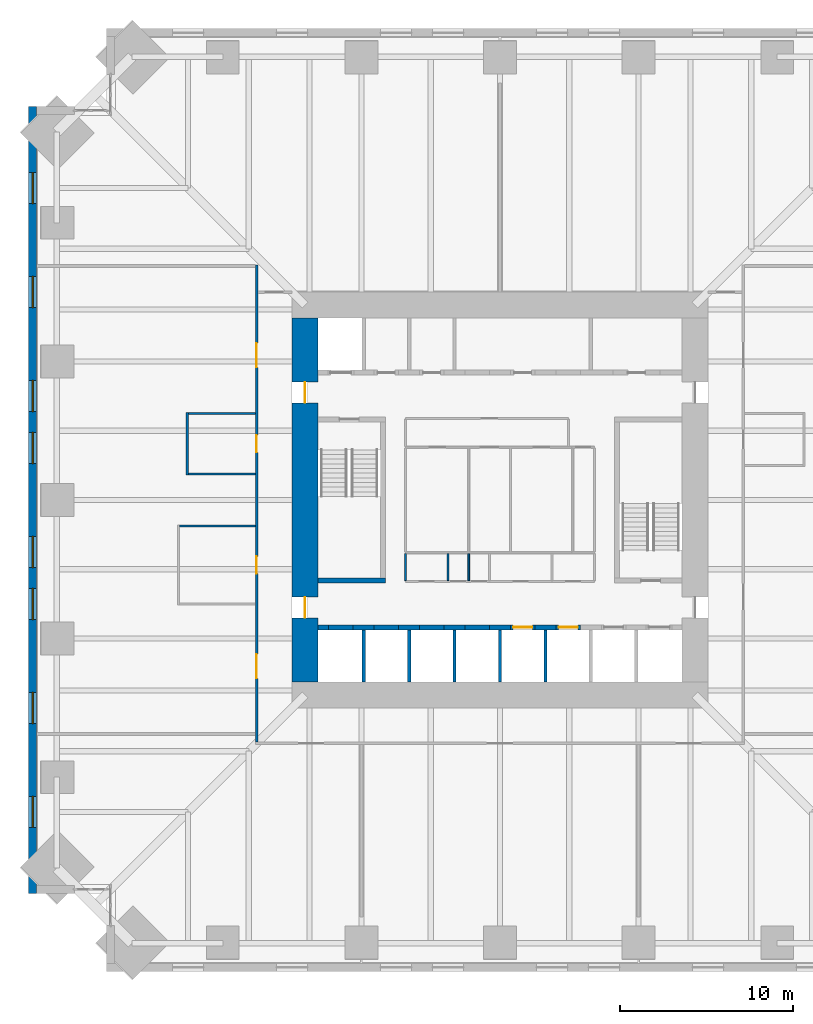
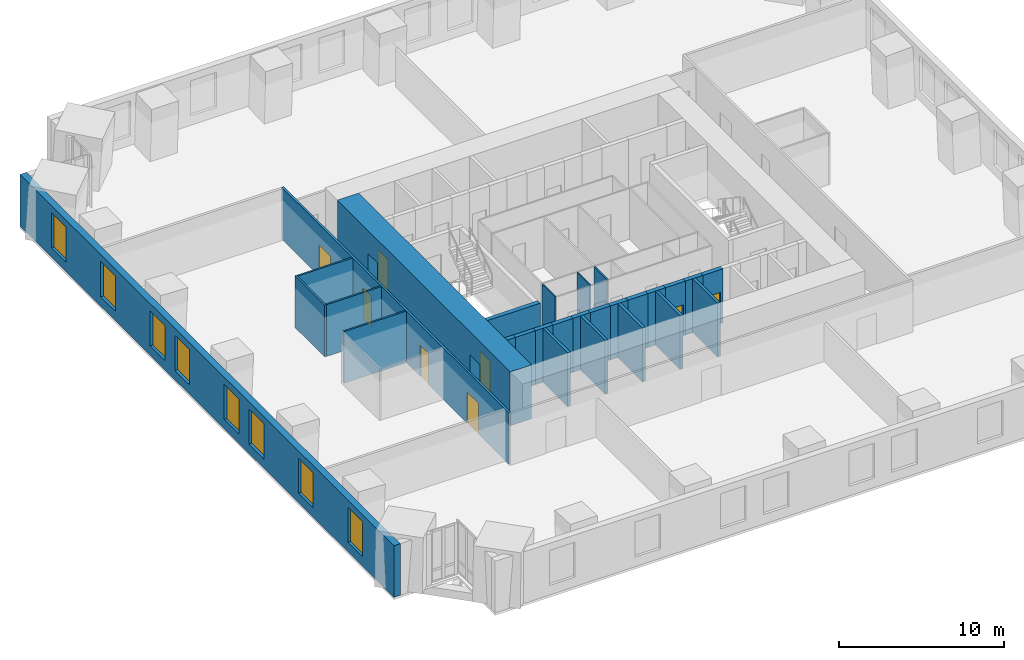
# One storey, part 12 of 16: 28 walls, 8 doors, 8 windows, 16 openings.
"""IFC4 building model written with IfcOpenShell, lengths in metres."""

from ifc_helpers import new_model, si_unit, direction, frame, frame_2d, origin, place, context, subcontext, project, spatial, rectangle, extrude, material, layer, layer_set, type_object, element, fill, save


model = new_model("IFC4")

# Units and contexts
model_context = context("Model", 3, precision=1e-05, world=origin(), true_north=direction((0.0, 1.0)))
body_context = subcontext(model_context, "Body", "Model", "MODEL_VIEW")
ifc_project = project(units=[si_unit("LENGTHUNIT", "METRE"), si_unit("AREAUNIT", "SQUARE_METRE"), si_unit("VOLUMEUNIT", "CUBIC_METRE"), si_unit("PLANEANGLEUNIT", "RADIAN"), si_unit("MASSUNIT", "GRAM", prefix="KILO")], contexts=[model_context])

# Site, building, storey
site_placement = place(None, origin())
site = spatial("IfcSite", under=ifc_project, at=site_placement, CompositionType="ELEMENT")
building_placement = place(site_placement, origin())
building = spatial("IfcBuilding", under=site, at=building_placement, Name="Peilmerk Tower", CompositionType="ELEMENT")
storey_placement = place(building_placement, frame((0.0, 0.0, 131.800048828125)))
storey = spatial("IfcBuildingStorey", under=building, at=storey_placement, Name="L26", CompositionType="ELEMENT", Elevation=131.800048828125)

# Wall, openings, windows
ifc_material_1 = material(Name="Precast concrete C45/55, board-marked finish", Category="concrete")
ifc_layer_1 = layer(ifc_material_1, 0.449951171875)
ifc_layer_set_1 = layer_set([ifc_layer_1], Name="Precast concrete C45/55, board-marked finish")
wall_type_1 = type_object("IfcWallType", Name="EW1 450 precast concrete facade wall, board-marked", PredefinedType="SOLIDWALL", material=ifc_layer_set_1)
wall_1_placement = place(storey_placement, frame((-26.97509765625, 22.699951171875, 0.0), z_axis=(0.0, 0.0, 1.0), x_axis=(0.0, -1.0, 0.0)))
wall_1 = element("IfcWall", 1, at=wall_1_placement, inside=storey, type_object=wall_type_1, Name="Facade wall W L26", PredefinedType="SOLIDWALL", context=body_context, shape_type="SweptSolid", body=[
    extrude(rectangle(XDim=45.39990234375, YDim=0.449951171875, at=frame_2d((22.699951171875, 0.0))), origin(), (0.0, 0.0, 1.0), 3.829833984375),
])
opening_1_placement = place(wall_1_placement, frame((3.800048828125, 0.0, 0.699951171875)))
opening_1 = element("IfcOpeningElement", 2, at=opening_1_placement, cuts=wall_1, Name="Opening W1", PredefinedType="OPENING", context=body_context, shape_type="SweptSolid", body=[
    extrude(rectangle(XDim=1.800048828125, YDim=2.60009765625, at=frame_2d((0.89990234375, 1.300048828125))), frame((0.0, 0.23486328125, 0.0), z_axis=(0.0, -1.0, 0.0), x_axis=(1.0, 0.0, 0.0)), (0.0, 0.0, 1.0), 0.469970703125),
])
opening_2_placement = place(wall_1_placement, frame((9.800048828125, 0.0, 0.699951171875)))
opening_2 = element("IfcOpeningElement", 3, at=opening_2_placement, cuts=wall_1, Name="Opening W1", PredefinedType="OPENING", context=body_context, shape_type="SweptSolid", body=[
    extrude(rectangle(XDim=1.800048828125, YDim=2.60009765625, at=frame_2d((0.89990234375, 1.300048828125))), frame((0.0, 0.23486328125, 0.0), z_axis=(0.0, -1.0, 0.0), x_axis=(1.0, 0.0, 0.0)), (0.0, 0.0, 1.0), 0.469970703125),
])
opening_3_placement = place(wall_1_placement, frame((15.800048828125, 0.0, 0.699951171875)))
opening_3 = element("IfcOpeningElement", 4, at=opening_3_placement, cuts=wall_1, Name="Opening W1", PredefinedType="OPENING", context=body_context, shape_type="SweptSolid", body=[
    extrude(rectangle(XDim=1.800048828125, YDim=2.60009765625, at=frame_2d((0.89990234375, 1.300048828125))), frame((0.0, 0.23486328125, 0.0), z_axis=(0.0, -1.0, 0.0), x_axis=(1.0, 0.0, 0.0)), (0.0, 0.0, 1.0), 0.469970703125),
])
opening_4_placement = place(wall_1_placement, frame((18.800048828125, 0.0, 0.699951171875)))
opening_4 = element("IfcOpeningElement", 5, at=opening_4_placement, cuts=wall_1, Name="Opening W1", PredefinedType="OPENING", context=body_context, shape_type="SweptSolid", body=[
    extrude(rectangle(XDim=1.800048828125, YDim=2.60009765625, at=frame_2d((0.89990234375, 1.300048828125))), frame((0.0, 0.23486328125, 0.0), z_axis=(0.0, -1.0, 0.0), x_axis=(1.0, 0.0, 0.0)), (0.0, 0.0, 1.0), 0.469970703125),
])
opening_5_placement = place(wall_1_placement, frame((24.800048828125, 0.0, 0.699951171875)))
opening_5 = element("IfcOpeningElement", 6, at=opening_5_placement, cuts=wall_1, Name="Opening W1", PredefinedType="OPENING", context=body_context, shape_type="SweptSolid", body=[
    extrude(rectangle(XDim=1.800048828125, YDim=2.60009765625, at=frame_2d((0.89990234375, 1.300048828125))), frame((0.0, 0.23486328125, 0.0), z_axis=(0.0, -1.0, 0.0), x_axis=(1.0, 0.0, 0.0)), (0.0, 0.0, 1.0), 0.469970703125),
])
opening_6_placement = place(wall_1_placement, frame((27.800048828125, 0.0, 0.699951171875)))
opening_6 = element("IfcOpeningElement", 7, at=opening_6_placement, cuts=wall_1, Name="Opening W1", PredefinedType="OPENING", context=body_context, shape_type="SweptSolid", body=[
    extrude(rectangle(XDim=1.800048828125, YDim=2.60009765625, at=frame_2d((0.89990234375, 1.300048828125))), frame((0.0, 0.23486328125, 0.0), z_axis=(0.0, -1.0, 0.0), x_axis=(1.0, 0.0, 0.0)), (0.0, 0.0, 1.0), 0.469970703125),
])
opening_7_placement = place(wall_1_placement, frame((33.800048828125, 0.0, 0.699951171875)))
opening_7 = element("IfcOpeningElement", 8, at=opening_7_placement, cuts=wall_1, Name="Opening W1", PredefinedType="OPENING", context=body_context, shape_type="SweptSolid", body=[
    extrude(rectangle(XDim=1.800048828125, YDim=2.60009765625, at=frame_2d((0.89990234375, 1.300048828125))), frame((0.0, 0.23486328125, 0.0), z_axis=(0.0, -1.0, 0.0), x_axis=(1.0, 0.0, 0.0)), (0.0, 0.0, 1.0), 0.469970703125),
])
opening_8_placement = place(wall_1_placement, frame((39.800048828125, 0.0, 0.699951171875)))
opening_8 = element("IfcOpeningElement", 9, at=opening_8_placement, cuts=wall_1, Name="Opening W1", PredefinedType="OPENING", context=body_context, shape_type="SweptSolid", body=[
    extrude(rectangle(XDim=1.800048828125, YDim=2.60009765625, at=frame_2d((0.89990234375, 1.300048828125))), frame((0.0, 0.23486328125, 0.0), z_axis=(0.0, -1.0, 0.0), x_axis=(1.0, 0.0, 0.0)), (0.0, 0.0, 1.0), 0.469970703125),
])
ifc_material_2 = material(Name="Aluminium frame, clear double glazing", Category="aluminium")
window_type = type_object("IfcWindowType", Name="W1 1800x2600 office window", PartitioningType="SINGLE_PANEL", PredefinedType="WINDOW", material=ifc_material_2)
window_1_placement = place(opening_1_placement, origin())
window_1 = element("IfcWindow", 10, at=window_1_placement, inside=storey, type_object=window_type, Name="Window W1 L26", OverallHeight=2.60009765625, OverallWidth=1.800048828125, PartitioningType="SINGLE_PANEL", PredefinedType="WINDOW", context=body_context, shape_type="SweptSolid", body=[
    extrude(rectangle(XDim=1.800048828125, YDim=2.60009765625, at=frame_2d((0.89990234375, 1.300048828125))), frame((0.0, 0.030029296875, 0.0), z_axis=(0.0, -1.0, 0.0), x_axis=(1.0, 0.0, 0.0)), (0.0, 0.0, 1.0), 0.06005859375),
])
fill(opening_1, window_1)
window_2_placement = place(opening_2_placement, origin())
window_2 = element("IfcWindow", 11, at=window_2_placement, inside=storey, type_object=window_type, Name="Window W1 L26", OverallHeight=2.60009765625, OverallWidth=1.800048828125, PartitioningType="SINGLE_PANEL", PredefinedType="WINDOW", context=body_context, shape_type="SweptSolid", body=[
    extrude(rectangle(XDim=1.800048828125, YDim=2.60009765625, at=frame_2d((0.89990234375, 1.300048828125))), frame((0.0, 0.030029296875, 0.0), z_axis=(0.0, -1.0, 0.0), x_axis=(1.0, 0.0, 0.0)), (0.0, 0.0, 1.0), 0.06005859375),
])
fill(opening_2, window_2)
window_3_placement = place(opening_3_placement, origin())
window_3 = element("IfcWindow", 12, at=window_3_placement, inside=storey, type_object=window_type, Name="Window W1 L26", OverallHeight=2.60009765625, OverallWidth=1.800048828125, PartitioningType="SINGLE_PANEL", PredefinedType="WINDOW", context=body_context, shape_type="SweptSolid", body=[
    extrude(rectangle(XDim=1.800048828125, YDim=2.60009765625, at=frame_2d((0.89990234375, 1.300048828125))), frame((0.0, 0.030029296875, 0.0), z_axis=(0.0, -1.0, 0.0), x_axis=(1.0, 0.0, 0.0)), (0.0, 0.0, 1.0), 0.06005859375),
])
fill(opening_3, window_3)
window_4_placement = place(opening_4_placement, origin())
window_4 = element("IfcWindow", 13, at=window_4_placement, inside=storey, type_object=window_type, Name="Window W1 L26", OverallHeight=2.60009765625, OverallWidth=1.800048828125, PartitioningType="SINGLE_PANEL", PredefinedType="WINDOW", context=body_context, shape_type="SweptSolid", body=[
    extrude(rectangle(XDim=1.800048828125, YDim=2.60009765625, at=frame_2d((0.89990234375, 1.300048828125))), frame((0.0, 0.030029296875, 0.0), z_axis=(0.0, -1.0, 0.0), x_axis=(1.0, 0.0, 0.0)), (0.0, 0.0, 1.0), 0.06005859375),
])
fill(opening_4, window_4)
window_5_placement = place(opening_5_placement, origin())
window_5 = element("IfcWindow", 14, at=window_5_placement, inside=storey, type_object=window_type, Name="Window W1 L26", OverallHeight=2.60009765625, OverallWidth=1.800048828125, PartitioningType="SINGLE_PANEL", PredefinedType="WINDOW", context=body_context, shape_type="SweptSolid", body=[
    extrude(rectangle(XDim=1.800048828125, YDim=2.60009765625, at=frame_2d((0.89990234375, 1.300048828125))), frame((0.0, 0.030029296875, 0.0), z_axis=(0.0, -1.0, 0.0), x_axis=(1.0, 0.0, 0.0)), (0.0, 0.0, 1.0), 0.06005859375),
])
fill(opening_5, window_5)
window_6_placement = place(opening_6_placement, origin())
window_6 = element("IfcWindow", 15, at=window_6_placement, inside=storey, type_object=window_type, Name="Window W1 L26", OverallHeight=2.60009765625, OverallWidth=1.800048828125, PartitioningType="SINGLE_PANEL", PredefinedType="WINDOW", context=body_context, shape_type="SweptSolid", body=[
    extrude(rectangle(XDim=1.800048828125, YDim=2.60009765625, at=frame_2d((0.89990234375, 1.300048828125))), frame((0.0, 0.030029296875, 0.0), z_axis=(0.0, -1.0, 0.0), x_axis=(1.0, 0.0, 0.0)), (0.0, 0.0, 1.0), 0.06005859375),
])
fill(opening_6, window_6)
window_7_placement = place(opening_7_placement, origin())
window_7 = element("IfcWindow", 16, at=window_7_placement, inside=storey, type_object=window_type, Name="Window W1 L26", OverallHeight=2.60009765625, OverallWidth=1.800048828125, PartitioningType="SINGLE_PANEL", PredefinedType="WINDOW", context=body_context, shape_type="SweptSolid", body=[
    extrude(rectangle(XDim=1.800048828125, YDim=2.60009765625, at=frame_2d((0.89990234375, 1.300048828125))), frame((0.0, 0.030029296875, 0.0), z_axis=(0.0, -1.0, 0.0), x_axis=(1.0, 0.0, 0.0)), (0.0, 0.0, 1.0), 0.06005859375),
])
fill(opening_7, window_7)
window_8_placement = place(opening_8_placement, origin())
window_8 = element("IfcWindow", 17, at=window_8_placement, inside=storey, type_object=window_type, Name="Window W1 L26", OverallHeight=2.60009765625, OverallWidth=1.800048828125, PartitioningType="SINGLE_PANEL", PredefinedType="WINDOW", context=body_context, shape_type="SweptSolid", body=[
    extrude(rectangle(XDim=1.800048828125, YDim=2.60009765625, at=frame_2d((0.89990234375, 1.300048828125))), frame((0.0, 0.030029296875, 0.0), z_axis=(0.0, -1.0, 0.0), x_axis=(1.0, 0.0, 0.0)), (0.0, 0.0, 1.0), 0.06005859375),
])
fill(opening_8, window_8)

# Wall, openings, doors
ifc_material_3 = material(Name="Calcium silicate block", Category="masonry")
ifc_layer_2 = layer(ifc_material_3, 0.14990234375)
ifc_layer_set_2 = layer_set([ifc_layer_2], Name="Calcium silicate block")
wall_type_2 = type_object("IfcWallType", Name="IW1 150 corridor partition, EI 60", PredefinedType="PARTITIONING", material=ifc_layer_set_2)
wall_2_placement = place(storey_placement, frame((-14.050048828125, 13.574951171875, 0.0), z_axis=(0.0, 0.0, 1.0), x_axis=(0.0, -1.0, 0.0)))
wall_2 = element("IfcWall", 18, at=wall_2_placement, inside=storey, type_object=wall_type_2, Name="Corridor wall W L26", PredefinedType="PARTITIONING", context=body_context, shape_type="SweptSolid", body=[
    extrude(rectangle(XDim=27.550048828125, YDim=0.14990234375, at=frame_2d((13.77490234375, 0.0))), origin(), (0.0, 0.0, 1.0), 3.829833984375),
])
opening_9_placement = place(wall_2_placement, frame((22.47509765625, 0.0, 0.0)))
opening_9 = element("IfcOpeningElement", 19, at=opening_9_placement, cuts=wall_2, Name="Opening D8", PredefinedType="OPENING", context=body_context, shape_type="SweptSolid", body=[
    extrude(rectangle(XDim=1.39990234375, YDim=2.300048828125, at=frame_2d((0.699951171875, 1.14990234375))), frame((0.0, 0.0849609375, 0.0), z_axis=(0.0, -1.0, 0.0), x_axis=(1.0, 0.0, 0.0)), (0.0, 0.0, 1.0), 0.169921875),
])
opening_10_placement = place(wall_2_placement, frame((4.52490234375, 0.0, 0.0)))
opening_10 = element("IfcOpeningElement", 20, at=opening_10_placement, cuts=wall_2, Name="Opening D8", PredefinedType="OPENING", context=body_context, shape_type="SweptSolid", body=[
    extrude(rectangle(XDim=1.39990234375, YDim=2.300048828125, at=frame_2d((0.699951171875, 1.14990234375))), frame((0.0, 0.0849609375, 0.0), z_axis=(0.0, -1.0, 0.0), x_axis=(1.0, 0.0, 0.0)), (0.0, 0.0, 1.0), 0.169921875),
])
opening_11_placement = place(wall_2_placement, frame((16.824951171875, 0.0, 0.0)))
opening_11 = element("IfcOpeningElement", 21, at=opening_11_placement, cuts=wall_2, Name="Opening D1", PredefinedType="OPENING", context=body_context, shape_type="SweptSolid", body=[
    extrude(rectangle(XDim=1.0, YDim=2.300048828125, at=frame_2d((0.5, 1.14990234375))), frame((0.0, 0.0849609375, 0.0), z_axis=(0.0, -1.0, 0.0), x_axis=(1.0, 0.0, 0.0)), (0.0, 0.0, 1.0), 0.169921875),
])
opening_12_placement = place(wall_2_placement, frame((9.824951171875, 0.0, 0.0)))
opening_12 = element("IfcOpeningElement", 22, at=opening_12_placement, cuts=wall_2, Name="Opening D1", PredefinedType="OPENING", context=body_context, shape_type="SweptSolid", body=[
    extrude(rectangle(XDim=1.0, YDim=2.300048828125, at=frame_2d((0.5, 1.14990234375))), frame((0.0, 0.0849609375, 0.0), z_axis=(0.0, -1.0, 0.0), x_axis=(1.0, 0.0, 0.0)), (0.0, 0.0, 1.0), 0.169921875),
])
ifc_material_4 = material(Name="Timber door in steel frame", Category="steel")
door_type_1 = type_object("IfcDoorType", Name="D1 1000x2300 room door, EI2 30", OperationType="SINGLE_SWING_LEFT", PredefinedType="DOOR", material=ifc_material_4)
door_1_placement = place(opening_11_placement, frame((1.0, 0.0, 0.0), z_axis=(0.0, 0.0, 1.0), x_axis=(-1.0, 0.0, 0.0)))
door_1 = element("IfcDoor", 23, at=door_1_placement, inside=storey, type_object=door_type_1, Name="Door Meeting room L26", OperationType="SINGLE_SWING_LEFT", OverallHeight=2.300048828125, OverallWidth=1.0, PredefinedType="DOOR", context=body_context, shape_type="SweptSolid", body=[
    extrude(rectangle(XDim=1.0, YDim=2.300048828125, at=frame_2d((0.5, 1.14990234375))), frame((0.0, 0.02490234375, 0.0), z_axis=(0.0, -1.0, 0.0), x_axis=(1.0, 0.0, 0.0)), (0.0, 0.0, 1.0), 0.050048828125),
])
fill(opening_11, door_1)
door_2_placement = place(opening_12_placement, frame((1.0, 0.0, 0.0), z_axis=(0.0, 0.0, 1.0), x_axis=(-1.0, 0.0, 0.0)))
door_2 = element("IfcDoor", 24, at=door_2_placement, inside=storey, type_object=door_type_1, Name="Door Pantry L26", OperationType="SINGLE_SWING_LEFT", OverallHeight=2.300048828125, OverallWidth=1.0, PredefinedType="DOOR", context=body_context, shape_type="SweptSolid", body=[
    extrude(rectangle(XDim=1.0, YDim=2.300048828125, at=frame_2d((0.5, 1.14990234375))), frame((0.0, 0.02490234375, 0.0), z_axis=(0.0, -1.0, 0.0), x_axis=(1.0, 0.0, 0.0)), (0.0, 0.0, 1.0), 0.050048828125),
])
fill(opening_12, door_2)
door_type_2 = type_object("IfcDoorType", Name="D8 1400x2300 leaf-and-a-half door, EI2 30", OperationType="DOUBLE_DOOR_SINGLE_SWING", PredefinedType="DOOR", material=ifc_material_4)
door_3_placement = place(opening_9_placement, frame((1.39990234375, 0.0, 0.0), z_axis=(0.0, 0.0, 1.0), x_axis=(-1.0, 0.0, 0.0)))
door_3 = element("IfcDoor", 25, at=door_3_placement, inside=storey, type_object=door_type_2, Name="Door Tenant suite L26", OperationType="DOUBLE_DOOR_SINGLE_SWING", OverallHeight=2.300048828125, OverallWidth=1.39990234375, PredefinedType="DOOR", context=body_context, shape_type="SweptSolid", body=[
    extrude(rectangle(XDim=1.39990234375, YDim=2.300048828125, at=frame_2d((0.699951171875, 1.14990234375))), frame((0.0, 0.02490234375, 0.0), z_axis=(0.0, -1.0, 0.0), x_axis=(1.0, 0.0, 0.0)), (0.0, 0.0, 1.0), 0.050048828125),
])
fill(opening_9, door_3)
door_4_placement = place(opening_10_placement, frame((1.39990234375, 0.0, 0.0), z_axis=(0.0, 0.0, 1.0), x_axis=(-1.0, 0.0, 0.0)))
door_4 = element("IfcDoor", 26, at=door_4_placement, inside=storey, type_object=door_type_2, Name="Door Tenant suite L26", OperationType="DOUBLE_DOOR_SINGLE_SWING", OverallHeight=2.300048828125, OverallWidth=1.39990234375, PredefinedType="DOOR", context=body_context, shape_type="SweptSolid", body=[
    extrude(rectangle(XDim=1.39990234375, YDim=2.300048828125, at=frame_2d((0.699951171875, 1.14990234375))), frame((0.0, 0.02490234375, 0.0), z_axis=(0.0, -1.0, 0.0), x_axis=(1.0, 0.0, 0.0)), (0.0, 0.0, 1.0), 0.050048828125),
])
fill(opening_10, door_4)

# Walls
ifc_material_5 = material(Name="Concrete C35/45", Category="concrete")
ifc_layer_3 = layer(ifc_material_5, 0.300048828125)
ifc_layer_set_3 = layer_set([ifc_layer_3], Name="Concrete C35/45")
wall_type_3 = type_object("IfcWallType", Name="IW3 300 concrete stair enclosure wall, EI 120", PredefinedType="SOLIDWALL", material=ifc_layer_set_3)
wall_3_placement = place(storey_placement, frame((-6.60009765625, -4.64990234375, 0.0), z_axis=(0.0, 0.0, 1.0), x_axis=(-1.0, 0.0, 0.0)))
element("IfcWall", 27, at=wall_3_placement, inside=storey, type_object=wall_type_3, Name="Stair 1 enclosure L26", PredefinedType="SOLIDWALL", context=body_context, shape_type="SweptSolid", body=[
    extrude(rectangle(XDim=3.89990234375, YDim=0.300048828125, at=frame_2d((1.949951171875, 0.0))), origin(), (0.0, 0.0, 1.0), 3.75),
])
ifc_material_6 = material(Name="Calcium silicate board on steel studs", Category="steel")
ifc_layer_4 = layer(ifc_material_6, 0.10009765625)
ifc_layer_set_4 = layer_set([ifc_layer_4], Name="Calcium silicate board on steel studs")
wall_type_4 = type_object("IfcWallType", Name="IW5 100 riser enclosure wall, EI 60", PredefinedType="PARTITIONING", material=ifc_layer_set_4)
for number, where, z_axis, x_axis, name in (
    (28, (-5.449951171875, -3.10009765625, 0.0), (0.0, 0.0, 1.0), (0.0, -1.0, 0.0), "Riser wall L26"),
    (29, (-3.0, -3.10009765625, 0.0), (0.0, 0.0, 1.0), (0.0, -1.0, 0.0), "Riser wall L26"),
    (30, (-1.800048828125, -3.10009765625, 0.0), (0.0, 0.0, 1.0), (0.0, -1.0, 0.0), "Riser wall L26"),
):
    element("IfcWall", number, at=place(storey_placement, frame(where, z_axis=z_axis, x_axis=x_axis)), inside=storey, type_object=wall_type_4, Name=name, PredefinedType="PARTITIONING", context=body_context, shape_type="SweptSolid", body=[
        extrude(rectangle(XDim=1.5498046875, YDim=0.10009765625, at=frame_2d((0.77490234375, 0.0))), origin(), (0.0, 0.0, 1.0), 3.75),
    ])
ifc_material_7 = material(Name="Plasterboard on steel studs, double boarded with mineral wool", Category="steel")
ifc_layer_5 = layer(ifc_material_7, 0.125)
ifc_layer_set_5 = layer_set([ifc_layer_5], Name="Plasterboard on steel studs, double boarded with mineral wool")
wall_type_5 = type_object("IfcWallType", Name="IW7 125 acoustic partition, EI 30", PredefinedType="PARTITIONING", material=ifc_layer_set_5)
wall_4_placement = place(storey_placement, frame((-14.125, -1.5, 0.0), z_axis=(0.0, 0.0, 1.0), x_axis=(-1.0, 0.0, 0.0)))
element("IfcWall", 31, at=wall_4_placement, inside=storey, type_object=wall_type_5, Name="Acoustic partition Meeting room L26", PredefinedType="PARTITIONING", context=body_context, shape_type="SweptSolid", body=[
    extrude(rectangle(XDim=4.362548828125, YDim=0.125, at=frame_2d((2.18115234375, 0.0))), origin(), (0.0, 0.0, 1.0), 3.829833984375),
])
wall_5_placement = place(storey_placement, frame((-18.050048828125, 1.4375, 0.0), z_axis=(0.0, 0.0, 1.0), x_axis=(0.0, 1.0, 0.0)))
element("IfcWall", 32, at=wall_5_placement, inside=storey, type_object=wall_type_5, Name="Acoustic partition Pantry L26", PredefinedType="PARTITIONING", context=body_context, shape_type="SweptSolid", body=[
    extrude(rectangle(XDim=3.625, YDim=0.125, at=frame_2d((1.8125, 0.0))), origin(), (0.0, 0.0, 1.0), 3.829833984375),
])
for number, where, z_axis, x_axis, name in (
    (33, (-14.125, 1.5, 0.0), (0.0, 0.0, 1.0), (-1.0, 0.0, 0.0), "Acoustic partition Pantry L26"),
    (34, (-14.125, 5.0, 0.0), (0.0, 0.0, 1.0), (-1.0, 0.0, 0.0), "Acoustic partition Pantry L26"),
):
    element("IfcWall", number, at=place(storey_placement, frame(where, z_axis=z_axis, x_axis=x_axis)), inside=storey, type_object=wall_type_5, Name=name, PredefinedType="PARTITIONING", context=body_context, shape_type="SweptSolid", body=[
        extrude(rectangle(XDim=3.862548828125, YDim=0.125, at=frame_2d((1.93115234375, 0.0))), origin(), (0.0, 0.0, 1.0), 3.829833984375),
    ])
ifc_layer_6 = layer(ifc_material_3, 0.199951171875)
ifc_layer_set_6 = layer_set([ifc_layer_6], Name="Calcium silicate block")
wall_type_6 = type_object("IfcWallType", Name="SH1 200 shaft dividing wall, EI 120", PredefinedType="PARTITIONING", material=ifc_layer_set_6)
for number, where, z_axis, x_axis, name in (
    (35, (-7.875, -10.5, 0.0), (0.0, 0.0, 1.0), (0.0, 1.0, 0.0), "Shaft wall S C4 L26"),
    (36, (-5.25, -10.5, 0.0), (0.0, 0.0, 1.0), (0.0, 1.0, 0.0), "Shaft wall S C3 L26"),
    (37, (-2.625, -10.5, 0.0), (0.0, 0.0, 1.0), (0.0, 1.0, 0.0), "Shaft wall S C2 L26"),
    (38, (0.0, -10.5, 0.0), (0.0, 0.0, 1.0), (0.0, 1.0, 0.0), "Shaft wall S C1 L26"),
    (39, (2.625, -10.5, 0.0), (0.0, 0.0, 1.0), (0.0, 1.0, 0.0), "Shaft wall S B3 L26"),
):
    element("IfcWall", number, at=place(storey_placement, frame(where, z_axis=z_axis, x_axis=x_axis)), inside=storey, type_object=wall_type_6, Name=name, PredefinedType="PARTITIONING", context=body_context, shape_type="SweptSolid", body=[
        extrude(rectangle(XDim=3.0, YDim=0.199951171875, at=frame_2d((1.5, 0.0))), origin(), (0.0, 0.0, 1.0), 4.0),
    ])
ifc_layer_7 = layer(ifc_material_3, 0.300048828125)
ifc_layer_set_7 = layer_set([ifc_layer_7], Name="Calcium silicate block")
wall_type_7 = type_object("IfcWallType", Name="SH2 300 lift landing door panel, EI 120", PredefinedType="PARTITIONING", material=ifc_layer_set_7)
for number, where, z_axis, x_axis, name in (
    (40, (-9.887451171875, -7.35009765625, 0.0), (0.0, 0.0, 1.0), (1.0, 0.0, 0.0), "Lift door panel S C4 L26"),
    (41, (-7.262451171875, -7.35009765625, 0.0), (0.0, 0.0, 1.0), (1.0, 0.0, 0.0), "Lift door panel S C3 L26"),
    (42, (-4.637451171875, -7.35009765625, 0.0), (0.0, 0.0, 1.0), (1.0, 0.0, 0.0), "Lift door panel S C2 L26"),
    (43, (-2.012451171875, -7.35009765625, 0.0), (0.0, 0.0, 1.0), (1.0, 0.0, 0.0), "Lift door panel S C1 L26"),
):
    element("IfcWall", number, at=place(storey_placement, frame(where, z_axis=z_axis, x_axis=x_axis)), inside=storey, type_object=wall_type_7, Name=name, PredefinedType="PARTITIONING", context=body_context, shape_type="SweptSolid", body=[
        extrude(rectangle(XDim=1.39990234375, YDim=0.300048828125, at=frame_2d((0.699951171875, 0.0))), origin(), (0.0, 0.0, 1.0), 4.0),
    ])

# Wall, opening, door
wall_6_placement = place(storey_placement, frame((0.612548828125, -7.35009765625, 0.0), z_axis=(0.0, 0.0, 1.0), x_axis=(1.0, 0.0, 0.0)))
wall_6 = element("IfcWall", 44, at=wall_6_placement, inside=storey, type_object=wall_type_7, Name="Lift door panel S B3 L26", PredefinedType="PARTITIONING", context=body_context, shape_type="SweptSolid", body=[
    extrude(rectangle(XDim=1.39990234375, YDim=0.300048828125, at=frame_2d((0.699951171875, 0.0))), origin(), (0.0, 0.0, 1.0), 4.0),
])
opening_13_placement = place(wall_6_placement, frame((0.14990234375, 0.0, 0.0)))
opening_13 = element("IfcOpeningElement", 45, at=opening_13_placement, cuts=wall_6, Name="Opening LD1", PredefinedType="OPENING", context=body_context, shape_type="SweptSolid", body=[
    extrude(rectangle(XDim=1.10009765625, YDim=2.300048828125, at=frame_2d((0.550048828125, 1.14990234375))), frame((0.0, 0.159912109375, 0.0), z_axis=(0.0, -1.0, 0.0), x_axis=(1.0, 0.0, 0.0)), (0.0, 0.0, 1.0), 0.320068359375),
])
ifc_material_8 = material(Name="Stainless steel landing door", Category="steel")
door_type_3 = type_object("IfcDoorType", Name="LD1 1100x2300 lift landing door, sliding, EI2 60", OperationType="SLIDING_TO_LEFT", PredefinedType="DOOR", material=ifc_material_8)
door_5_placement = place(opening_13_placement, origin())
door_5 = element("IfcDoor", 46, at=door_5_placement, inside=storey, type_object=door_type_3, Name="Lift landing door B3 L26", OperationType="SLIDING_TO_LEFT", OverallHeight=2.300048828125, OverallWidth=1.10009765625, PredefinedType="DOOR", context=body_context, shape_type="SweptSolid", body=[
    extrude(rectangle(XDim=1.10009765625, YDim=2.300048828125, at=frame_2d((0.550048828125, 1.14990234375))), frame((0.0, 0.02490234375, 0.0), z_axis=(0.0, -1.0, 0.0), x_axis=(1.0, 0.0, 0.0)), (0.0, 0.0, 1.0), 0.050048828125),
])
fill(opening_13, door_5)

wall_7_placement = place(storey_placement, frame((3.237548828125, -7.35009765625, 0.0), z_axis=(0.0, 0.0, 1.0), x_axis=(1.0, 0.0, 0.0)))
wall_7 = element("IfcWall", 47, at=wall_7_placement, inside=storey, type_object=wall_type_7, Name="Lift door panel S B2 L26", PredefinedType="PARTITIONING", context=body_context, shape_type="SweptSolid", body=[
    extrude(rectangle(XDim=1.39990234375, YDim=0.300048828125, at=frame_2d((0.699951171875, 0.0))), origin(), (0.0, 0.0, 1.0), 4.0),
])
opening_14_placement = place(wall_7_placement, frame((0.14990234375, 0.0, 0.0)))
opening_14 = element("IfcOpeningElement", 48, at=opening_14_placement, cuts=wall_7, Name="Opening LD1", PredefinedType="OPENING", context=body_context, shape_type="SweptSolid", body=[
    extrude(rectangle(XDim=1.10009765625, YDim=2.300048828125, at=frame_2d((0.550048828125, 1.14990234375))), frame((0.0, 0.159912109375, 0.0), z_axis=(0.0, -1.0, 0.0), x_axis=(1.0, 0.0, 0.0)), (0.0, 0.0, 1.0), 0.320068359375),
])
door_6_placement = place(opening_14_placement, origin())
door_6 = element("IfcDoor", 49, at=door_6_placement, inside=storey, type_object=door_type_3, Name="Lift landing door B2 L26", OperationType="SLIDING_TO_LEFT", OverallHeight=2.300048828125, OverallWidth=1.10009765625, PredefinedType="DOOR", context=body_context, shape_type="SweptSolid", body=[
    extrude(rectangle(XDim=1.10009765625, YDim=2.300048828125, at=frame_2d((0.550048828125, 1.14990234375))), frame((0.0, 0.02490234375, 0.0), z_axis=(0.0, -1.0, 0.0), x_axis=(1.0, 0.0, 0.0)), (0.0, 0.0, 1.0), 0.050048828125),
])
fill(opening_14, door_6)

# Wall, openings, doors
ifc_material_9 = material(Name="Concrete C55/67", Category="concrete")
ifc_layer_8 = layer(ifc_material_9, 1.5)
ifc_layer_set_8 = layer_set([ifc_layer_8], Name="Concrete C55/67")
wall_type_8 = type_object("IfcWallType", Name="SW1 1500 core wall", PredefinedType="SHEAR", material=ifc_layer_set_8)
wall_8_placement = place(storey_placement, frame((-11.25, -10.5, 0.0), z_axis=(0.0, 0.0, 1.0), x_axis=(0.0, 1.0, 0.0)))
wall_8 = element("IfcWall", 50, at=wall_8_placement, inside=storey, type_object=wall_type_8, Name="Core wall W L26", PredefinedType="SHEAR", context=body_context, shape_type="SweptSolid", body=[
    extrude(rectangle(XDim=21.0, YDim=1.5, at=frame_2d((10.5, 0.0))), origin(), (0.0, 0.0, 1.0), 4.0),
])
opening_15_placement = place(wall_8_placement, frame((16.10009765625, 0.0, 0.0)))
opening_15 = element("IfcOpeningElement", 51, at=opening_15_placement, cuts=wall_8, Name="Opening D3", PredefinedType="OPENING", context=body_context, shape_type="SweptSolid", body=[
    extrude(rectangle(XDim=1.199951171875, YDim=2.300048828125, at=frame_2d((0.60009765625, 1.14990234375))), frame((0.0, 0.760009765625, 0.0), z_axis=(0.0, -1.0, 0.0), x_axis=(1.0, 0.0, 0.0)), (0.0, 0.0, 1.0), 1.52001953125),
])
opening_16_placement = place(wall_8_placement, frame((3.699951171875, 0.0, 0.0)))
opening_16 = element("IfcOpeningElement", 52, at=opening_16_placement, cuts=wall_8, Name="Opening D3", PredefinedType="OPENING", context=body_context, shape_type="SweptSolid", body=[
    extrude(rectangle(XDim=1.199951171875, YDim=2.300048828125, at=frame_2d((0.60009765625, 1.14990234375))), frame((0.0, 0.760009765625, 0.0), z_axis=(0.0, -1.0, 0.0), x_axis=(1.0, 0.0, 0.0)), (0.0, 0.0, 1.0), 1.52001953125),
])
ifc_material_10 = material(Name="Steel door in steel frame", Category="steel")
door_type_4 = type_object("IfcDoorType", Name="D3 1200x2300 core door, EI2 60", OperationType="SINGLE_SWING_LEFT", PredefinedType="DOOR", material=ifc_material_10)
door_7_placement = place(opening_15_placement, frame((1.199951171875, 0.0, 0.0), z_axis=(0.0, 0.0, 1.0), x_axis=(-1.0, 0.0, 0.0)))
door_7 = element("IfcDoor", 53, at=door_7_placement, inside=storey, type_object=door_type_4, Name="Core door L26", OperationType="SINGLE_SWING_LEFT", OverallHeight=2.300048828125, OverallWidth=1.199951171875, PredefinedType="DOOR", context=body_context, shape_type="SweptSolid", body=[
    extrude(rectangle(XDim=1.199951171875, YDim=2.300048828125, at=frame_2d((0.60009765625, 1.14990234375))), frame((0.0, 0.02490234375, 0.0), z_axis=(0.0, -1.0, 0.0), x_axis=(1.0, 0.0, 0.0)), (0.0, 0.0, 1.0), 0.050048828125),
])
fill(opening_15, door_7)
door_8_placement = place(opening_16_placement, frame((1.199951171875, 0.0, 0.0), z_axis=(0.0, 0.0, 1.0), x_axis=(-1.0, 0.0, 0.0)))
door_8 = element("IfcDoor", 54, at=door_8_placement, inside=storey, type_object=door_type_4, Name="Core door L26", OperationType="SINGLE_SWING_LEFT", OverallHeight=2.300048828125, OverallWidth=1.199951171875, PredefinedType="DOOR", context=body_context, shape_type="SweptSolid", body=[
    extrude(rectangle(XDim=1.199951171875, YDim=2.300048828125, at=frame_2d((0.60009765625, 1.14990234375))), frame((0.0, 0.02490234375, 0.0), z_axis=(0.0, -1.0, 0.0), x_axis=(1.0, 0.0, 0.0)), (0.0, 0.0, 1.0), 0.050048828125),
])
fill(opening_16, door_8)

# Walls
ifc_layer_9 = layer(ifc_material_9, 0.300048828125)
ifc_layer_set_9 = layer_set([ifc_layer_9], Name="Concrete C55/67")
wall_type_9 = type_object("IfcWallType", Name="SW2 300 lift bank pier", PredefinedType="SHEAR", material=ifc_layer_set_9)
wall_9_placement = place(storey_placement, frame((-10.5, -7.35009765625, 0.0), z_axis=(0.0, 0.0, 1.0), x_axis=(1.0, 0.0, 0.0)))
element("IfcWall", 55, at=wall_9_placement, inside=storey, type_object=wall_type_9, Name="Lift bank pier S L26", PredefinedType="SHEAR", context=body_context, shape_type="SweptSolid", body=[
    extrude(rectangle(XDim=0.612548828125, YDim=0.300048828125, at=frame_2d((0.30615234375, 0.0))), origin(), (0.0, 0.0, 1.0), 4.0),
])
for number, where, z_axis, x_axis, name in (
    (56, (-8.487548828125, -7.35009765625, 0.0), (0.0, 0.0, 1.0), (1.0, 0.0, 0.0), "Lift bank pier S L26"),
    (57, (-5.862548828125, -7.35009765625, 0.0), (0.0, 0.0, 1.0), (1.0, 0.0, 0.0), "Lift bank pier S L26"),
    (58, (-3.237548828125, -7.35009765625, 0.0), (0.0, 0.0, 1.0), (1.0, 0.0, 0.0), "Lift bank pier S L26"),
    (59, (-0.612548828125, -7.35009765625, 0.0), (0.0, 0.0, 1.0), (1.0, 0.0, 0.0), "Lift bank pier S L26"),
    (60, (2.012451171875, -7.35009765625, 0.0), (0.0, 0.0, 1.0), (1.0, 0.0, 0.0), "Lift bank pier S L26"),
):
    element("IfcWall", number, at=place(storey_placement, frame(where, z_axis=z_axis, x_axis=x_axis)), inside=storey, type_object=wall_type_9, Name=name, PredefinedType="SHEAR", context=body_context, shape_type="SweptSolid", body=[
        extrude(rectangle(XDim=1.22509765625, YDim=0.300048828125, at=frame_2d((0.612548828125, 0.0))), origin(), (0.0, 0.0, 1.0), 4.0),
    ])

save(model, "model.ifc")
